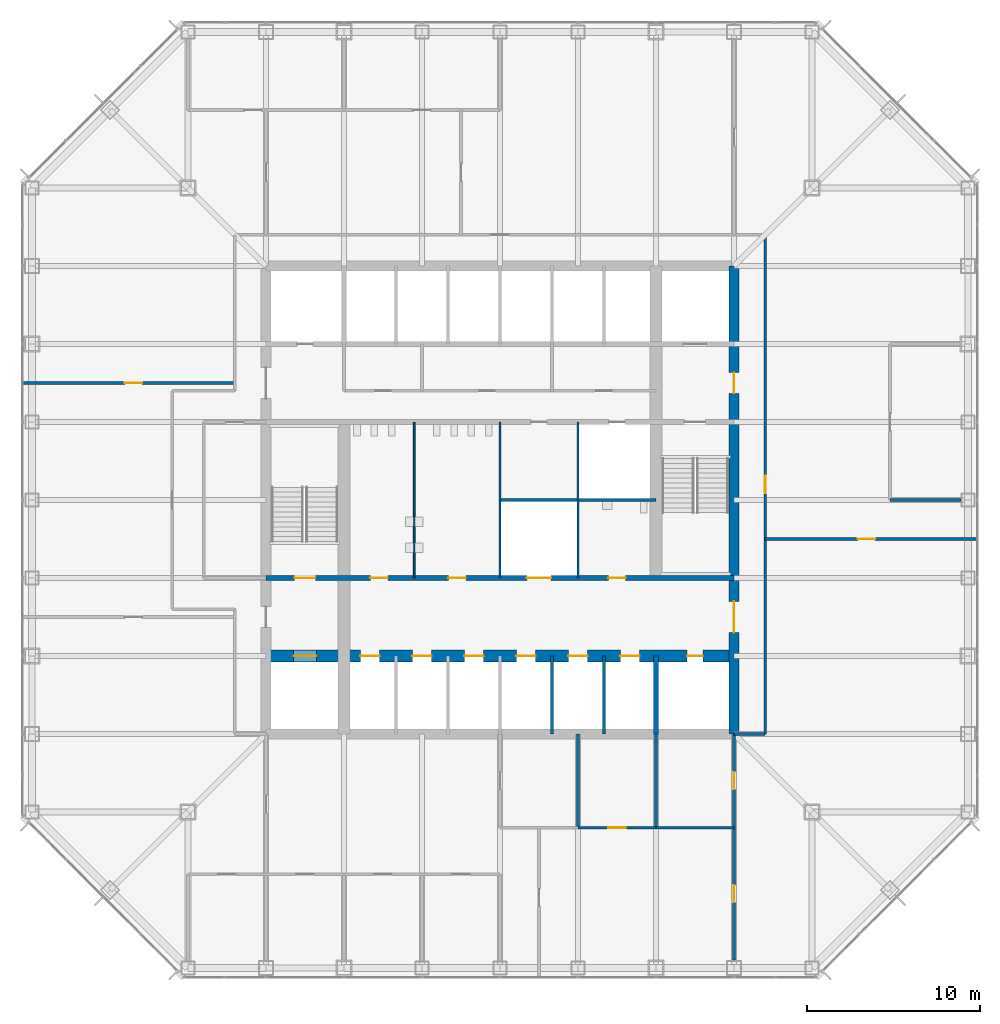
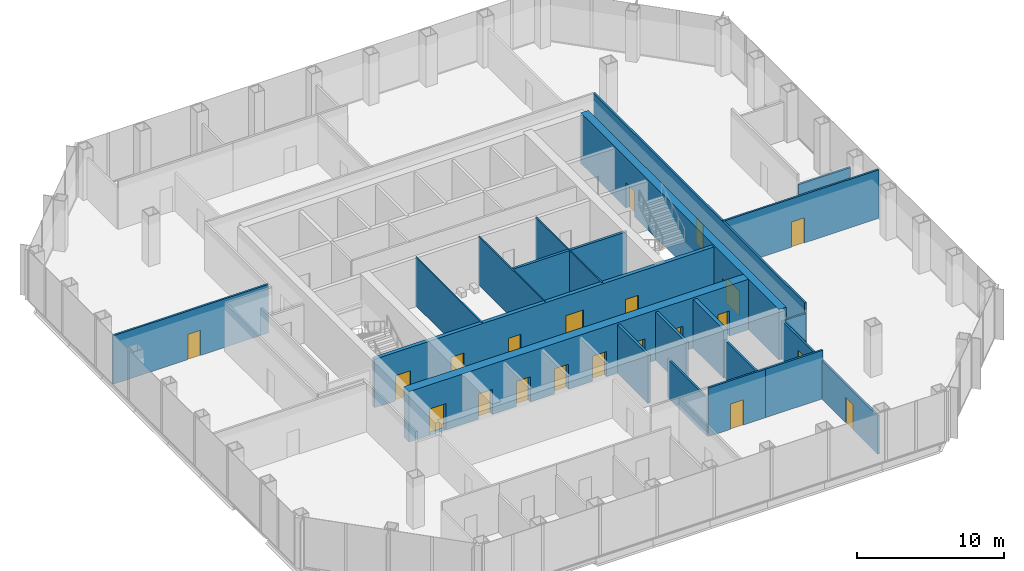
# One storey, part 9 of 13: 21 doors, 21 walls, 21 openings.
"""IFC4 building model written with IfcOpenShell, lengths in metres."""

from ifc_helpers import new_model, si_unit, direction, frame, frame_2d, origin, place, context, subcontext, project, spatial, rectangle, extrude, material, layer, layer_set, type_object, element, fill, save


model = new_model("IFC4")

# Units and contexts
model_context = context("Model", 3, precision=1e-05, world=origin(), true_north=direction((0.0, 1.0)))
body_context = subcontext(model_context, "Body", "Model", "MODEL_VIEW")
ifc_project = project(units=[si_unit("LENGTHUNIT", "METRE"), si_unit("AREAUNIT", "SQUARE_METRE"), si_unit("VOLUMEUNIT", "CUBIC_METRE"), si_unit("PLANEANGLEUNIT", "RADIAN"), si_unit("MASSUNIT", "GRAM", prefix="KILO")], contexts=[model_context])

# Site, building, storey
site_placement = place(None, origin())
site = spatial("IfcSite", under=ifc_project, at=site_placement, CompositionType="ELEMENT")
building_placement = place(site_placement, origin())
building = spatial("IfcBuilding", under=site, at=building_placement, Name="Corais Broadcast Tower", CompositionType="ELEMENT")
storey_placement = place(building_placement, frame((0.0, 0.0, 96.199951171875)))
storey = spatial("IfcBuildingStorey", under=building, at=storey_placement, Name="L21", CompositionType="ELEMENT", Elevation=96.199951171875)

# Wall
ifc_material_1 = material(Name="Concrete blockwork class A, grouted, two-hour", Category="masonry")
ifc_layer_1 = layer(ifc_material_1, 0.300048828125)
ifc_layer_set_1 = layer_set([ifc_layer_1], Name="Concrete blockwork class A, grouted, two-hour")
wall_type_1 = type_object("IfcWallType", Name="Core lobby wall 300", PredefinedType="SOLIDWALL", material=ifc_layer_set_1)
wall_1_placement = place(storey_placement, frame((36.0, 13.5, 0.0), z_axis=(0.0, 0.0, 1.0), x_axis=(0.0, 1.0, 0.0)))
element("IfcWall", 1, at=wall_1_placement, inside=storey, type_object=wall_type_1, Name="CL1 core shaft wall X36A L21", PredefinedType="SOLIDWALL", context=body_context, shape_type="SweptSolid", body=[
    extrude(rectangle(XDim=4.5, YDim=0.300048828125, at=frame_2d((2.25, 0.0))), origin(), (0.0, 0.0, 1.0), 4.0400390625),
])

# Wall, openings, doors
wall_2_placement = place(storey_placement, frame((13.5, 22.5, 0.0), z_axis=(0.0, 0.0, 1.0), x_axis=(1.0, 0.0, 0.0)))
wall_2 = element("IfcWall", 2, at=wall_2_placement, inside=storey, type_object=wall_type_1, Name="CL1 core lobby wall Y225 L21", PredefinedType="SOLIDWALL", context=body_context, shape_type="SweptSolid", body=[
    extrude(rectangle(XDim=27.0, YDim=0.300048828125, at=frame_2d((13.5, 0.0))), origin(), (0.0, 0.0, 1.0), 4.0400390625),
])
opening_1_placement = place(wall_2_placement, frame((1.64990234375, 0.0, 0.0)))
opening_1 = element("IfcOpeningElement", 3, at=opening_1_placement, cuts=wall_2, Name="Opening FD1", PredefinedType="OPENING", context=body_context, shape_type="SweptSolid", body=[
    extrude(rectangle(XDim=1.199951171875, YDim=2.10009765625, at=frame_2d((0.60009765625, 1.050048828125))), frame((0.0, 0.159912109375, 0.0), z_axis=(0.0, -1.0, 0.0), x_axis=(1.0, 0.0, 0.0)), (0.0, 0.0, 1.0), 0.320068359375),
])
opening_2_placement = place(wall_2_placement, frame((6.02490234375, 0.0, 0.0)))
opening_2 = element("IfcOpeningElement", 4, at=opening_2_placement, cuts=wall_2, Name="Opening WD1", PredefinedType="OPENING", context=body_context, shape_type="SweptSolid", body=[
    extrude(rectangle(XDim=1.0, YDim=2.10009765625, at=frame_2d((0.5, 1.050048828125))), frame((0.0, 0.159912109375, 0.0), z_axis=(0.0, -1.0, 0.0), x_axis=(1.0, 0.0, 0.0)), (0.0, 0.0, 1.0), 0.320068359375),
])
opening_3_placement = place(wall_2_placement, frame((10.52490234375, 0.0, 0.0)))
opening_3 = element("IfcOpeningElement", 5, at=opening_3_placement, cuts=wall_2, Name="Opening WD1", PredefinedType="OPENING", context=body_context, shape_type="SweptSolid", body=[
    extrude(rectangle(XDim=1.0, YDim=2.10009765625, at=frame_2d((0.5, 1.050048828125))), frame((0.0, 0.159912109375, 0.0), z_axis=(0.0, -1.0, 0.0), x_axis=(1.0, 0.0, 0.0)), (0.0, 0.0, 1.0), 0.320068359375),
])
opening_4_placement = place(wall_2_placement, frame((19.75, 0.0, 0.0)))
opening_4 = element("IfcOpeningElement", 6, at=opening_4_placement, cuts=wall_2, Name="Opening WD1", PredefinedType="OPENING", context=body_context, shape_type="SweptSolid", body=[
    extrude(rectangle(XDim=1.0, YDim=2.10009765625, at=frame_2d((0.5, 1.050048828125))), frame((0.0, 0.159912109375, 0.0), z_axis=(0.0, -1.0, 0.0), x_axis=(1.0, 0.0, 0.0)), (0.0, 0.0, 1.0), 0.320068359375),
])
opening_5_placement = place(wall_2_placement, frame((15.050048828125, 0.0, 0.0)))
opening_5 = element("IfcOpeningElement", 7, at=opening_5_placement, cuts=wall_2, Name="Opening LD3", PredefinedType="OPENING", context=body_context, shape_type="SweptSolid", body=[
    extrude(rectangle(XDim=1.39990234375, YDim=2.39990234375, at=frame_2d((0.699951171875, 1.199951171875))), frame((0.0, 0.159912109375, 0.0), z_axis=(0.0, -1.0, 0.0), x_axis=(1.0, 0.0, 0.0)), (0.0, 0.0, 1.0), 0.320068359375),
])
ifc_material_2 = material(Name="Steel fire door", Category="steel")
door_type_1 = type_object("IfcDoorType", Name="Fire door 1200x2100", OperationType="SINGLE_SWING_LEFT", PredefinedType="DOOR", material=ifc_material_2)
door_1_placement = place(opening_1_placement, origin())
door_1 = element("IfcDoor", 8, at=door_1_placement, inside=storey, type_object=door_type_1, Name="FD1 stair A door L21", OperationType="SINGLE_SWING_LEFT", OverallHeight=2.10009765625, OverallWidth=1.199951171875, PredefinedType="DOOR", context=body_context, shape_type="SweptSolid", body=[
    extrude(rectangle(XDim=1.199951171875, YDim=2.10009765625, at=frame_2d((0.60009765625, 1.050048828125))), frame((0.0, 0.02490234375, 0.0), z_axis=(0.0, -1.0, 0.0), x_axis=(1.0, 0.0, 0.0)), (0.0, 0.0, 1.0), 0.050048828125),
])
fill(opening_1, door_1)
ifc_material_3 = material(Name="Stainless steel lift door", Category="steel")
door_type_2 = type_object("IfcDoorType", Name="Service lift landing door 1400x2400", OperationType="SLIDING_TO_LEFT", PredefinedType="DOOR", material=ifc_material_3)
door_2_placement = place(opening_5_placement, origin())
door_2 = element("IfcDoor", 9, at=door_2_placement, inside=storey, type_object=door_type_2, Name="LD3 SL1 landing door L21", OperationType="SLIDING_TO_LEFT", OverallHeight=2.39990234375, OverallWidth=1.39990234375, PredefinedType="DOOR", context=body_context, shape_type="SweptSolid", body=[
    extrude(rectangle(XDim=1.39990234375, YDim=2.39990234375, at=frame_2d((0.699951171875, 1.199951171875))), frame((0.0, 0.02490234375, 0.0), z_axis=(0.0, -1.0, 0.0), x_axis=(1.0, 0.0, 0.0)), (0.0, 0.0, 1.0), 0.050048828125),
])
fill(opening_5, door_2)
ifc_material_4 = material(Name="Timber door", Category="wood")
door_type_3 = type_object("IfcDoorType", Name="Toilet door 1000x2100", OperationType="SINGLE_SWING_LEFT", PredefinedType="DOOR", material=ifc_material_4)
door_3_placement = place(opening_2_placement, origin())
door_3 = element("IfcDoor", 10, at=door_3_placement, inside=storey, type_object=door_type_3, Name="WD1 WC male door L21", OperationType="SINGLE_SWING_LEFT", OverallHeight=2.10009765625, OverallWidth=1.0, PredefinedType="DOOR", context=body_context, shape_type="SweptSolid", body=[
    extrude(rectangle(XDim=1.0, YDim=2.10009765625, at=frame_2d((0.5, 1.050048828125))), frame((0.0, 0.02490234375, 0.0), z_axis=(0.0, -1.0, 0.0), x_axis=(1.0, 0.0, 0.0)), (0.0, 0.0, 1.0), 0.050048828125),
])
fill(opening_2, door_3)
door_4_placement = place(opening_3_placement, origin())
door_4 = element("IfcDoor", 11, at=door_4_placement, inside=storey, type_object=door_type_3, Name="WD1 WC female door L21", OperationType="SINGLE_SWING_LEFT", OverallHeight=2.10009765625, OverallWidth=1.0, PredefinedType="DOOR", context=body_context, shape_type="SweptSolid", body=[
    extrude(rectangle(XDim=1.0, YDim=2.10009765625, at=frame_2d((0.5, 1.050048828125))), frame((0.0, 0.02490234375, 0.0), z_axis=(0.0, -1.0, 0.0), x_axis=(1.0, 0.0, 0.0)), (0.0, 0.0, 1.0), 0.050048828125),
])
fill(opening_3, door_4)
door_5_placement = place(opening_4_placement, origin())
door_5 = element("IfcDoor", 12, at=door_5_placement, inside=storey, type_object=door_type_3, Name="WD1 accessible WC door L21", OperationType="SINGLE_SWING_RIGHT", OverallHeight=2.10009765625, OverallWidth=1.0, PredefinedType="DOOR", context=body_context, shape_type="SweptSolid", body=[
    extrude(rectangle(XDim=1.0, YDim=2.10009765625, at=frame_2d((0.5, 1.050048828125))), frame((0.0, 0.02490234375, 0.0), z_axis=(0.0, -1.0, 0.0), x_axis=(1.0, 0.0, 0.0)), (0.0, 0.0, 1.0), 0.050048828125),
])
fill(opening_4, door_5)

ifc_material_5 = material(Name="Concrete C50/60", Category="concrete")
ifc_layer_2 = layer(ifc_material_5, 0.699951171875)
ifc_layer_set_2 = layer_set([ifc_layer_2], Name="Concrete C50/60")
wall_type_2 = type_object("IfcWallType", Name="Core spine wall 700", PredefinedType="SHEAR", material=ifc_layer_set_2)
wall_3_placement = place(storey_placement, frame((13.5, 18.0, 0.0), z_axis=(0.0, 0.0, 1.0), x_axis=(1.0, 0.0, 0.0)))
wall_3 = element("IfcWall", 13, at=wall_3_placement, inside=storey, type_object=wall_type_2, Name="CR700 core wall Y18 L21", PredefinedType="SHEAR", context=body_context, shape_type="SweptSolid", body=[
    extrude(rectangle(XDim=27.0, YDim=0.699951171875, at=frame_2d((13.5, 0.0))), origin(), (0.0, 0.0, 1.0), 4.199951171875),
])
opening_6_placement = place(wall_3_placement, frame((24.300048828125, 0.0, 0.0)))
opening_6 = element("IfcOpeningElement", 14, at=opening_6_placement, cuts=wall_3, Name="Opening RD1", PredefinedType="OPENING", context=body_context, shape_type="SweptSolid", body=[
    extrude(rectangle(XDim=0.89990234375, YDim=2.10009765625, at=frame_2d((0.449951171875, 1.050048828125))), frame((0.0, 0.35986328125, 0.0), z_axis=(0.0, -1.0, 0.0), x_axis=(1.0, 0.0, 0.0)), (0.0, 0.0, 1.0), 0.719970703125),
])
opening_7_placement = place(wall_3_placement, frame((5.449951171875, 0.0, 0.0)))
opening_7 = element("IfcOpeningElement", 15, at=opening_7_placement, cuts=wall_3, Name="Opening LD1", PredefinedType="OPENING", context=body_context, shape_type="SweptSolid", body=[
    extrude(rectangle(XDim=1.10009765625, YDim=2.10009765625, at=frame_2d((0.550048828125, 1.050048828125))), frame((0.0, 0.35986328125, 0.0), z_axis=(0.0, -1.0, 0.0), x_axis=(1.0, 0.0, 0.0)), (0.0, 0.0, 1.0), 0.719970703125),
])
opening_8_placement = place(wall_3_placement, frame((8.449951171875, 0.0, 0.0)))
opening_8 = element("IfcOpeningElement", 16, at=opening_8_placement, cuts=wall_3, Name="Opening LD1", PredefinedType="OPENING", context=body_context, shape_type="SweptSolid", body=[
    extrude(rectangle(XDim=1.10009765625, YDim=2.10009765625, at=frame_2d((0.550048828125, 1.050048828125))), frame((0.0, 0.35986328125, 0.0), z_axis=(0.0, -1.0, 0.0), x_axis=(1.0, 0.0, 0.0)), (0.0, 0.0, 1.0), 0.719970703125),
])
opening_9_placement = place(wall_3_placement, frame((11.449951171875, 0.0, 0.0)))
opening_9 = element("IfcOpeningElement", 17, at=opening_9_placement, cuts=wall_3, Name="Opening LD1", PredefinedType="OPENING", context=body_context, shape_type="SweptSolid", body=[
    extrude(rectangle(XDim=1.10009765625, YDim=2.10009765625, at=frame_2d((0.550048828125, 1.050048828125))), frame((0.0, 0.35986328125, 0.0), z_axis=(0.0, -1.0, 0.0), x_axis=(1.0, 0.0, 0.0)), (0.0, 0.0, 1.0), 0.719970703125),
])
opening_10_placement = place(wall_3_placement, frame((14.449951171875, 0.0, 0.0)))
opening_10 = element("IfcOpeningElement", 18, at=opening_10_placement, cuts=wall_3, Name="Opening LD1", PredefinedType="OPENING", context=body_context, shape_type="SweptSolid", body=[
    extrude(rectangle(XDim=1.10009765625, YDim=2.10009765625, at=frame_2d((0.550048828125, 1.050048828125))), frame((0.0, 0.35986328125, 0.0), z_axis=(0.0, -1.0, 0.0), x_axis=(1.0, 0.0, 0.0)), (0.0, 0.0, 1.0), 0.719970703125),
])
opening_11_placement = place(wall_3_placement, frame((17.449951171875, 0.0, 0.0)))
opening_11 = element("IfcOpeningElement", 19, at=opening_11_placement, cuts=wall_3, Name="Opening LD1", PredefinedType="OPENING", context=body_context, shape_type="SweptSolid", body=[
    extrude(rectangle(XDim=1.10009765625, YDim=2.10009765625, at=frame_2d((0.550048828125, 1.050048828125))), frame((0.0, 0.35986328125, 0.0), z_axis=(0.0, -1.0, 0.0), x_axis=(1.0, 0.0, 0.0)), (0.0, 0.0, 1.0), 0.719970703125),
])
opening_12_placement = place(wall_3_placement, frame((20.449951171875, 0.0, 0.0)))
opening_12 = element("IfcOpeningElement", 20, at=opening_12_placement, cuts=wall_3, Name="Opening LD1", PredefinedType="OPENING", context=body_context, shape_type="SweptSolid", body=[
    extrude(rectangle(XDim=1.10009765625, YDim=2.10009765625, at=frame_2d((0.550048828125, 1.050048828125))), frame((0.0, 0.35986328125, 0.0), z_axis=(0.0, -1.0, 0.0), x_axis=(1.0, 0.0, 0.0)), (0.0, 0.0, 1.0), 0.719970703125),
])
opening_13_placement = place(wall_3_placement, frame((1.60009765625, 0.0, 0.0)))
opening_13 = element("IfcOpeningElement", 21, at=opening_13_placement, cuts=wall_3, Name="Opening LD2", PredefinedType="OPENING", context=body_context, shape_type="SweptSolid", body=[
    extrude(rectangle(XDim=1.300048828125, YDim=2.199951171875, at=frame_2d((0.64990234375, 1.10009765625))), frame((0.0, 0.35986328125, 0.0), z_axis=(0.0, -1.0, 0.0), x_axis=(1.0, 0.0, 0.0)), (0.0, 0.0, 1.0), 0.719970703125),
])
ifc_material_6 = material(Name="Stainless steel lift door", Category="steel")
door_type_4 = type_object("IfcDoorType", Name="Lift landing door 1100x2100", OperationType="SLIDING_TO_LEFT", PredefinedType="DOOR", material=ifc_material_6)
door_6_placement = place(opening_7_placement, origin())
door_6 = element("IfcDoor", 22, at=door_6_placement, inside=storey, type_object=door_type_4, Name="LD1 PL1 landing door L21", OperationType="SLIDING_TO_LEFT", OverallHeight=2.10009765625, OverallWidth=1.10009765625, PredefinedType="DOOR", context=body_context, shape_type="SweptSolid", body=[
    extrude(rectangle(XDim=1.10009765625, YDim=2.10009765625, at=frame_2d((0.550048828125, 1.050048828125))), frame((0.0, 0.02490234375, 0.0), z_axis=(0.0, -1.0, 0.0), x_axis=(1.0, 0.0, 0.0)), (0.0, 0.0, 1.0), 0.050048828125),
])
fill(opening_7, door_6)
door_7_placement = place(opening_8_placement, origin())
door_7 = element("IfcDoor", 23, at=door_7_placement, inside=storey, type_object=door_type_4, Name="LD1 PL2 landing door L21", OperationType="SLIDING_TO_LEFT", OverallHeight=2.10009765625, OverallWidth=1.10009765625, PredefinedType="DOOR", context=body_context, shape_type="SweptSolid", body=[
    extrude(rectangle(XDim=1.10009765625, YDim=2.10009765625, at=frame_2d((0.550048828125, 1.050048828125))), frame((0.0, 0.02490234375, 0.0), z_axis=(0.0, -1.0, 0.0), x_axis=(1.0, 0.0, 0.0)), (0.0, 0.0, 1.0), 0.050048828125),
])
fill(opening_8, door_7)
door_8_placement = place(opening_9_placement, origin())
door_8 = element("IfcDoor", 24, at=door_8_placement, inside=storey, type_object=door_type_4, Name="LD1 PL3 landing door L21", OperationType="SLIDING_TO_LEFT", OverallHeight=2.10009765625, OverallWidth=1.10009765625, PredefinedType="DOOR", context=body_context, shape_type="SweptSolid", body=[
    extrude(rectangle(XDim=1.10009765625, YDim=2.10009765625, at=frame_2d((0.550048828125, 1.050048828125))), frame((0.0, 0.02490234375, 0.0), z_axis=(0.0, -1.0, 0.0), x_axis=(1.0, 0.0, 0.0)), (0.0, 0.0, 1.0), 0.050048828125),
])
fill(opening_9, door_8)
door_9_placement = place(opening_10_placement, origin())
door_9 = element("IfcDoor", 25, at=door_9_placement, inside=storey, type_object=door_type_4, Name="LD1 PL4 landing door L21", OperationType="SLIDING_TO_LEFT", OverallHeight=2.10009765625, OverallWidth=1.10009765625, PredefinedType="DOOR", context=body_context, shape_type="SweptSolid", body=[
    extrude(rectangle(XDim=1.10009765625, YDim=2.10009765625, at=frame_2d((0.550048828125, 1.050048828125))), frame((0.0, 0.02490234375, 0.0), z_axis=(0.0, -1.0, 0.0), x_axis=(1.0, 0.0, 0.0)), (0.0, 0.0, 1.0), 0.050048828125),
])
fill(opening_10, door_9)
door_10_placement = place(opening_11_placement, origin())
door_10 = element("IfcDoor", 26, at=door_10_placement, inside=storey, type_object=door_type_4, Name="LD1 PL5 landing door L21", OperationType="SLIDING_TO_LEFT", OverallHeight=2.10009765625, OverallWidth=1.10009765625, PredefinedType="DOOR", context=body_context, shape_type="SweptSolid", body=[
    extrude(rectangle(XDim=1.10009765625, YDim=2.10009765625, at=frame_2d((0.550048828125, 1.050048828125))), frame((0.0, 0.02490234375, 0.0), z_axis=(0.0, -1.0, 0.0), x_axis=(1.0, 0.0, 0.0)), (0.0, 0.0, 1.0), 0.050048828125),
])
fill(opening_11, door_10)
door_11_placement = place(opening_12_placement, origin())
door_11 = element("IfcDoor", 27, at=door_11_placement, inside=storey, type_object=door_type_4, Name="LD1 PL6 landing door L21", OperationType="SLIDING_TO_LEFT", OverallHeight=2.10009765625, OverallWidth=1.10009765625, PredefinedType="DOOR", context=body_context, shape_type="SweptSolid", body=[
    extrude(rectangle(XDim=1.10009765625, YDim=2.10009765625, at=frame_2d((0.550048828125, 1.050048828125))), frame((0.0, 0.02490234375, 0.0), z_axis=(0.0, -1.0, 0.0), x_axis=(1.0, 0.0, 0.0)), (0.0, 0.0, 1.0), 0.050048828125),
])
fill(opening_12, door_11)
ifc_material_7 = material(Name="Stainless steel lift door", Category="steel")
door_type_5 = type_object("IfcDoorType", Name="Lift landing door 1300x2200", OperationType="SLIDING_TO_LEFT", PredefinedType="DOOR", material=ifc_material_7)
door_12_placement = place(opening_13_placement, origin())
door_12 = element("IfcDoor", 28, at=door_12_placement, inside=storey, type_object=door_type_5, Name="LD2 FL1 landing door L21", OperationType="SLIDING_TO_LEFT", OverallHeight=2.199951171875, OverallWidth=1.300048828125, PredefinedType="DOOR", context=body_context, shape_type="SweptSolid", body=[
    extrude(rectangle(XDim=1.300048828125, YDim=2.199951171875, at=frame_2d((0.64990234375, 1.10009765625))), frame((0.0, 0.02490234375, 0.0), z_axis=(0.0, -1.0, 0.0), x_axis=(1.0, 0.0, 0.0)), (0.0, 0.0, 1.0), 0.050048828125),
])
fill(opening_13, door_12)
ifc_material_8 = material(Name="Steel fire door", Category="steel")
door_type_6 = type_object("IfcDoorType", Name="Riser door 900x2100", OperationType="SINGLE_SWING_LEFT", PredefinedType="DOOR", material=ifc_material_8)
door_13_placement = place(opening_6_placement, origin())
door_13 = element("IfcDoor", 29, at=door_13_placement, inside=storey, type_object=door_type_6, Name="RD1 riser door L21", OperationType="SINGLE_SWING_RIGHT", OverallHeight=2.10009765625, OverallWidth=0.89990234375, PredefinedType="DOOR", context=body_context, shape_type="SweptSolid", body=[
    extrude(rectangle(XDim=0.89990234375, YDim=2.10009765625, at=frame_2d((0.449951171875, 1.050048828125))), frame((0.0, 0.02490234375, 0.0), z_axis=(0.0, -1.0, 0.0), x_axis=(1.0, 0.0, 0.0)), (0.0, 0.0, 1.0), 0.050048828125),
])
fill(opening_6, door_13)

ifc_material_9 = material(Name="Concrete C50/60", Category="concrete")
ifc_layer_3 = layer(ifc_material_9, 0.60009765625)
ifc_layer_set_3 = layer_set([ifc_layer_3], Name="Concrete C50/60")
wall_type_3 = type_object("IfcWallType", Name="Core wall 600", PredefinedType="SHEAR", material=ifc_layer_set_3)
wall_4_placement = place(storey_placement, frame((40.5, 13.5, 0.0), z_axis=(0.0, 0.0, 1.0), x_axis=(0.0, 1.0, 0.0)))
wall_4 = element("IfcWall", 30, at=wall_4_placement, inside=storey, type_object=wall_type_3, Name="CR600 core wall E L21", PredefinedType="SHEAR", context=body_context, shape_type="SweptSolid", body=[
    extrude(rectangle(XDim=27.0, YDim=0.60009765625, at=frame_2d((13.5, 0.0))), origin(), (0.0, 0.0, 1.0), 4.199951171875),
])
opening_14_placement = place(wall_4_placement, frame((5.85009765625, 0.0, 0.0)))
opening_14 = element("IfcOpeningElement", 31, at=opening_14_placement, cuts=wall_4, Name="Opening FD2", PredefinedType="OPENING", context=body_context, shape_type="SweptSolid", body=[
    extrude(rectangle(XDim=1.800048828125, YDim=2.10009765625, at=frame_2d((0.89990234375, 1.050048828125))), frame((0.0, 0.31005859375, 0.0), z_axis=(0.0, -1.0, 0.0), x_axis=(1.0, 0.0, 0.0)), (0.0, 0.0, 1.0), 0.6201171875),
])
opening_15_placement = place(wall_4_placement, frame((19.64990234375, 0.0, 0.0)))
opening_15 = element("IfcOpeningElement", 32, at=opening_15_placement, cuts=wall_4, Name="Opening FD1", PredefinedType="OPENING", context=body_context, shape_type="SweptSolid", body=[
    extrude(rectangle(XDim=1.199951171875, YDim=2.10009765625, at=frame_2d((0.60009765625, 1.050048828125))), frame((0.0, 0.31005859375, 0.0), z_axis=(0.0, -1.0, 0.0), x_axis=(1.0, 0.0, 0.0)), (0.0, 0.0, 1.0), 0.6201171875),
])
door_14_placement = place(opening_15_placement, origin())
door_14 = element("IfcDoor", 33, at=door_14_placement, inside=storey, type_object=door_type_1, Name="FD1 fire lobby B door L21", OperationType="SINGLE_SWING_RIGHT", OverallHeight=2.10009765625, OverallWidth=1.199951171875, PredefinedType="DOOR", context=body_context, shape_type="SweptSolid", body=[
    extrude(rectangle(XDim=1.199951171875, YDim=2.10009765625, at=frame_2d((0.60009765625, 1.050048828125))), frame((0.0, 0.02490234375, 0.0), z_axis=(0.0, -1.0, 0.0), x_axis=(1.0, 0.0, 0.0)), (0.0, 0.0, 1.0), 0.050048828125),
])
fill(opening_15, door_14)
ifc_material_10 = material(Name="Steel fire door", Category="steel")
door_type_7 = type_object("IfcDoorType", Name="Fire door pair 1800x2100", OperationType="DOUBLE_DOOR_SINGLE_SWING", PredefinedType="DOOR", material=ifc_material_10)
door_15_placement = place(opening_14_placement, origin())
door_15 = element("IfcDoor", 34, at=door_15_placement, inside=storey, type_object=door_type_7, Name="FD2 lift lobby door L21", OperationType="SINGLE_SWING_LEFT", OverallHeight=2.10009765625, OverallWidth=1.800048828125, PredefinedType="DOOR", context=body_context, shape_type="SweptSolid", body=[
    extrude(rectangle(XDim=1.800048828125, YDim=2.10009765625, at=frame_2d((0.89990234375, 1.050048828125))), frame((0.0, 0.02490234375, 0.0), z_axis=(0.0, -1.0, 0.0), x_axis=(1.0, 0.0, 0.0)), (0.0, 0.0, 1.0), 0.050048828125),
])
fill(opening_14, door_15)

# Wall, opening, door
ifc_material_11 = material(Name="Gypsum board on steel studs", Category="steel")
ifc_layer_4 = layer(ifc_material_11, 0.14990234375)
ifc_layer_set_4 = layer_set([ifc_layer_4], Name="Gypsum board on steel studs")
wall_type_4 = type_object("IfcWallType", Name="Partition 150", PredefinedType="PARTITIONING", material=ifc_layer_set_4)
wall_5_placement = place(storey_placement, frame((42.300048828125, 13.5, 0.0), z_axis=(0.0, 0.0, 1.0), x_axis=(0.0, 1.0, 0.0)))
wall_5 = element("IfcWall", 35, at=wall_5_placement, inside=storey, type_object=wall_type_4, Name="IW3 corridor wall L21", PredefinedType="PARTITIONING", context=body_context, shape_type="SweptSolid", body=[
    extrude(rectangle(XDim=28.800048828125, YDim=0.14990234375, at=frame_2d((14.39990234375, 0.0))), origin(), (0.0, 0.0, 1.0), 4.0400390625),
])
opening_16_placement = place(wall_5_placement, frame((13.89990234375, 0.0, 0.0)))
opening_16 = element("IfcOpeningElement", 36, at=opening_16_placement, cuts=wall_5, Name="Opening D1", PredefinedType="OPENING", context=body_context, shape_type="SweptSolid", body=[
    extrude(rectangle(XDim=1.0, YDim=2.10009765625, at=frame_2d((0.5, 1.050048828125))), frame((0.0, 0.0849609375, 0.0), z_axis=(0.0, -1.0, 0.0), x_axis=(1.0, 0.0, 0.0)), (0.0, 0.0, 1.0), 0.169921875),
])
ifc_material_12 = material(Name="Timber door", Category="wood")
door_type_8 = type_object("IfcDoorType", Name="Single door 1000x2100", OperationType="SINGLE_SWING_LEFT", PredefinedType="DOOR", material=ifc_material_12)
door_16_placement = place(opening_16_placement, origin())
door_16 = element("IfcDoor", 37, at=door_16_placement, inside=storey, type_object=door_type_8, Name="D1 workplace door L21", OperationType="SINGLE_SWING_LEFT", OverallHeight=2.10009765625, OverallWidth=1.0, PredefinedType="DOOR", context=body_context, shape_type="SweptSolid", body=[
    extrude(rectangle(XDim=1.0, YDim=2.10009765625, at=frame_2d((0.5, 1.050048828125))), frame((0.0, 0.02490234375, 0.0), z_axis=(0.0, -1.0, 0.0), x_axis=(1.0, 0.0, 0.0)), (0.0, 0.0, 1.0), 0.050048828125),
])
fill(opening_16, door_16)

# Walls
wall_6_placement = place(storey_placement, frame((40.5, 13.5, 0.0), z_axis=(0.0, 0.0, 1.0), x_axis=(1.0, 0.0, 0.0)))
element("IfcWall", 38, at=wall_6_placement, inside=storey, type_object=wall_type_4, Name="IW3 corridor wall L21", PredefinedType="PARTITIONING", context=body_context, shape_type="SweptSolid", body=[
    extrude(rectangle(XDim=1.800048828125, YDim=0.14990234375, at=frame_2d((0.89990234375, 0.0))), origin(), (0.0, 0.0, 1.0), 3.18896484375),
])
wall_7_placement = place(storey_placement, frame((31.5, 8.10009765625, 0.0), z_axis=(0.0, 0.0, 1.0), x_axis=(0.0, 1.0, 0.0)))
element("IfcWall", 39, at=wall_7_placement, inside=storey, type_object=wall_type_4, Name="IW3 partition L21", PredefinedType="PARTITIONING", context=body_context, shape_type="SweptSolid", body=[
    extrude(rectangle(XDim=5.39990234375, YDim=0.14990234375, at=frame_2d((2.699951171875, 0.0))), origin(), (0.0, 0.0, 1.0), 3.18896484375),
])

# Wall, opening, door
wall_8_placement = place(storey_placement, frame((31.5, 8.10009765625, 0.0), z_axis=(0.0, 0.0, 1.0), x_axis=(1.0, 0.0, 0.0)))
wall_8 = element("IfcWall", 40, at=wall_8_placement, inside=storey, type_object=wall_type_4, Name="IW3 partition L21", PredefinedType="PARTITIONING", context=body_context, shape_type="SweptSolid", body=[
    extrude(rectangle(XDim=4.5, YDim=0.14990234375, at=frame_2d((2.25, 0.0))), origin(), (0.0, 0.0, 1.0), 4.0400390625),
])
opening_17_placement = place(wall_8_placement, frame((1.75, 0.0, 0.0)))
opening_17 = element("IfcOpeningElement", 41, at=opening_17_placement, cuts=wall_8, Name="Opening D1", PredefinedType="OPENING", context=body_context, shape_type="SweptSolid", body=[
    extrude(rectangle(XDim=1.0, YDim=2.10009765625, at=frame_2d((0.5, 1.050048828125))), frame((0.0, 0.0849609375, 0.0), z_axis=(0.0, -1.0, 0.0), x_axis=(1.0, 0.0, 0.0)), (0.0, 0.0, 1.0), 0.169921875),
])
door_17_placement = place(opening_17_placement, origin())
door_17 = element("IfcDoor", 42, at=door_17_placement, inside=storey, type_object=door_type_8, Name="D1 Tutor office door", OperationType="SINGLE_SWING_LEFT", OverallHeight=2.10009765625, OverallWidth=1.0, PredefinedType="DOOR", context=body_context, shape_type="SweptSolid", body=[
    extrude(rectangle(XDim=1.0, YDim=2.10009765625, at=frame_2d((0.5, 1.050048828125))), frame((0.0, 0.02490234375, 0.0), z_axis=(0.0, -1.0, 0.0), x_axis=(1.0, 0.0, 0.0)), (0.0, 0.0, 1.0), 0.050048828125),
])
fill(opening_17, door_17)

# Walls
wall_9_placement = place(storey_placement, frame((36.0, 8.10009765625, 0.0), z_axis=(0.0, 0.0, 1.0), x_axis=(0.0, 1.0, 0.0)))
element("IfcWall", 43, at=wall_9_placement, inside=storey, type_object=wall_type_4, Name="IW3 partition L21", PredefinedType="PARTITIONING", context=body_context, shape_type="SweptSolid", body=[
    extrude(rectangle(XDim=5.39990234375, YDim=0.14990234375, at=frame_2d((2.699951171875, 0.0))), origin(), (0.0, 0.0, 1.0), 3.18896484375),
])
wall_10_placement = place(storey_placement, frame((36.0, 8.10009765625, 0.0), z_axis=(0.0, 0.0, 1.0), x_axis=(1.0, 0.0, 0.0)))
element("IfcWall", 44, at=wall_10_placement, inside=storey, type_object=wall_type_4, Name="IW3 partition L21", PredefinedType="PARTITIONING", context=body_context, shape_type="SweptSolid", body=[
    extrude(rectangle(XDim=4.5, YDim=0.14990234375, at=frame_2d((2.25, 0.0))), origin(), (0.0, 0.0, 1.0), 4.0400390625),
])

# Wall, opening, door
wall_11_placement = place(storey_placement, frame((40.5, 8.10009765625, 0.0), z_axis=(0.0, 0.0, 1.0), x_axis=(0.0, 1.0, 0.0)))
wall_11 = element("IfcWall", 45, at=wall_11_placement, inside=storey, type_object=wall_type_4, Name="IW3 partition L21", PredefinedType="PARTITIONING", context=body_context, shape_type="SweptSolid", body=[
    extrude(rectangle(XDim=5.39990234375, YDim=0.14990234375, at=frame_2d((2.699951171875, 0.0))), origin(), (0.0, 0.0, 1.0), 3.18896484375),
])
opening_18_placement = place(wall_11_placement, frame((2.199951171875, 0.0, 0.0)))
opening_18 = element("IfcOpeningElement", 46, at=opening_18_placement, cuts=wall_11, Name="Opening D1", PredefinedType="OPENING", context=body_context, shape_type="SweptSolid", body=[
    extrude(rectangle(XDim=1.0, YDim=2.10009765625, at=frame_2d((0.5, 1.050048828125))), frame((0.0, 0.0849609375, 0.0), z_axis=(0.0, -1.0, 0.0), x_axis=(1.0, 0.0, 0.0)), (0.0, 0.0, 1.0), 0.169921875),
])
door_18_placement = place(opening_18_placement, origin())
door_18 = element("IfcDoor", 47, at=door_18_placement, inside=storey, type_object=door_type_8, Name="D1 Tutor office door", OperationType="SINGLE_SWING_LEFT", OverallHeight=2.10009765625, OverallWidth=1.0, PredefinedType="DOOR", context=body_context, shape_type="SweptSolid", body=[
    extrude(rectangle(XDim=1.0, YDim=2.10009765625, at=frame_2d((0.5, 1.050048828125))), frame((0.0, 0.02490234375, 0.0), z_axis=(0.0, -1.0, 0.0), x_axis=(1.0, 0.0, 0.0)), (0.0, 0.0, 1.0), 0.050048828125),
])
fill(opening_18, door_18)

# Wall
wall_12_placement = place(storey_placement, frame((49.5, 27.0, 0.0), z_axis=(0.0, 0.0, 1.0), x_axis=(1.0, 0.0, 0.0)))
element("IfcWall", 48, at=wall_12_placement, inside=storey, type_object=wall_type_4, Name="IW3 partition L21", PredefinedType="PARTITIONING", context=body_context, shape_type="SweptSolid", body=[
    extrude(rectangle(XDim=4.090087890625, YDim=0.14990234375, at=frame_2d((2.044921875, 0.0))), origin(), (0.0, 0.0, 1.0), 3.18896484375),
])

# Wall, opening, door
wall_13_placement = place(storey_placement, frame((54.52001953125, 24.75, 0.0), z_axis=(0.0, 0.0, 1.0), x_axis=(-1.0, 0.0, 0.0)))
wall_13 = element("IfcWall", 49, at=wall_13_placement, inside=storey, type_object=wall_type_4, Name="IW3 partition L21", PredefinedType="PARTITIONING", context=body_context, shape_type="SweptSolid", body=[
    extrude(rectangle(XDim=12.219970703125, YDim=0.14990234375, at=frame_2d((6.10986328125, 0.0))), origin(), (0.0, 0.0, 1.0), 4.0400390625),
])
opening_19_placement = place(wall_13_placement, frame((5.8701171875, 0.0, 0.0)))
opening_19 = element("IfcOpeningElement", 50, at=opening_19_placement, cuts=wall_13, Name="Opening D1", PredefinedType="OPENING", context=body_context, shape_type="SweptSolid", body=[
    extrude(rectangle(XDim=1.0, YDim=2.10009765625, at=frame_2d((0.5, 1.050048828125))), frame((0.0, 0.0849609375, 0.0), z_axis=(0.0, -1.0, 0.0), x_axis=(1.0, 0.0, 0.0)), (0.0, 0.0, 1.0), 0.169921875),
])
door_19_placement = place(opening_19_placement, origin())
door_19 = element("IfcDoor", 51, at=door_19_placement, inside=storey, type_object=door_type_8, Name="D1 team room door L21", OperationType="SINGLE_SWING_RIGHT", OverallHeight=2.10009765625, OverallWidth=1.0, PredefinedType="DOOR", context=body_context, shape_type="SweptSolid", body=[
    extrude(rectangle(XDim=1.0, YDim=2.10009765625, at=frame_2d((0.5, 1.050048828125))), frame((0.0, 0.02490234375, 0.0), z_axis=(0.0, -1.0, 0.0), x_axis=(1.0, 0.0, 0.0)), (0.0, 0.0, 1.0), 0.050048828125),
])
fill(opening_19, door_19)

wall_14_placement = place(storey_placement, frame((11.699951171875, 33.75, 0.0), z_axis=(0.0, 0.0, 1.0), x_axis=(-1.0, 0.0, 0.0)))
wall_14 = element("IfcWall", 52, at=wall_14_placement, inside=storey, type_object=wall_type_4, Name="IW3 partition L21", PredefinedType="PARTITIONING", context=body_context, shape_type="SweptSolid", body=[
    extrude(rectangle(XDim=12.219970703125, YDim=0.14990234375, at=frame_2d((6.10986328125, 0.0))), origin(), (0.0, 0.0, 1.0), 4.0400390625),
])
opening_20_placement = place(wall_14_placement, frame((5.35009765625, 0.0, 0.0)))
opening_20 = element("IfcOpeningElement", 53, at=opening_20_placement, cuts=wall_14, Name="Opening D1", PredefinedType="OPENING", context=body_context, shape_type="SweptSolid", body=[
    extrude(rectangle(XDim=1.0, YDim=2.10009765625, at=frame_2d((0.5, 1.050048828125))), frame((0.0, 0.0849609375, 0.0), z_axis=(0.0, -1.0, 0.0), x_axis=(1.0, 0.0, 0.0)), (0.0, 0.0, 1.0), 0.169921875),
])
door_20_placement = place(opening_20_placement, origin())
door_20 = element("IfcDoor", 54, at=door_20_placement, inside=storey, type_object=door_type_8, Name="D1 team room door L21", OperationType="SINGLE_SWING_LEFT", OverallHeight=2.10009765625, OverallWidth=1.0, PredefinedType="DOOR", context=body_context, shape_type="SweptSolid", body=[
    extrude(rectangle(XDim=1.0, YDim=2.10009765625, at=frame_2d((0.5, 1.050048828125))), frame((0.0, 0.02490234375, 0.0), z_axis=(0.0, -1.0, 0.0), x_axis=(1.0, 0.0, 0.0)), (0.0, 0.0, 1.0), 0.050048828125),
])
fill(opening_20, door_20)

wall_15_placement = place(storey_placement, frame((40.5, 0.445068359375, 0.0), z_axis=(0.0, 0.0, 1.0), x_axis=(0.0, 1.0, 0.0)))
wall_15 = element("IfcWall", 55, at=wall_15_placement, inside=storey, type_object=wall_type_4, Name="IW3 partition L21", PredefinedType="PARTITIONING", context=body_context, shape_type="SweptSolid", body=[
    extrude(rectangle(XDim=7.675048828125, YDim=0.14990234375, at=frame_2d((3.83740234375, 0.0))), origin(), (0.0, 0.0, 1.0), 3.18896484375),
])
opening_21_placement = place(wall_15_placement, frame((3.33740234375, 0.0, 0.0)))
opening_21 = element("IfcOpeningElement", 56, at=opening_21_placement, cuts=wall_15, Name="Opening D1", PredefinedType="OPENING", context=body_context, shape_type="SweptSolid", body=[
    extrude(rectangle(XDim=1.0, YDim=2.10009765625, at=frame_2d((0.5, 1.050048828125))), frame((0.0, 0.0849609375, 0.0), z_axis=(0.0, -1.0, 0.0), x_axis=(1.0, 0.0, 0.0)), (0.0, 0.0, 1.0), 0.169921875),
])
door_21_placement = place(opening_21_placement, origin())
door_21 = element("IfcDoor", 57, at=door_21_placement, inside=storey, type_object=door_type_8, Name="D1 team room door L21", OperationType="SINGLE_SWING_LEFT", OverallHeight=2.10009765625, OverallWidth=1.0, PredefinedType="DOOR", context=body_context, shape_type="SweptSolid", body=[
    extrude(rectangle(XDim=1.0, YDim=2.10009765625, at=frame_2d((0.5, 1.050048828125))), frame((0.0, 0.02490234375, 0.0), z_axis=(0.0, -1.0, 0.0), x_axis=(1.0, 0.0, 0.0)), (0.0, 0.0, 1.0), 0.050048828125),
])
fill(opening_21, door_21)

# Walls
ifc_material_13 = material(Name="Concrete blockwork class A, grouted, two-hour", Category="masonry")
ifc_layer_5 = layer(ifc_material_13, 0.199951171875)
ifc_layer_set_5 = layer_set([ifc_layer_5], Name="Concrete blockwork class A, grouted, two-hour")
wall_type_5 = type_object("IfcWallType", Name="Shaft wall 200", PredefinedType="PARTITIONING", material=ifc_layer_set_5)
for number, where, z_axis, x_axis, name in (
    (58, (30.0, 13.5, 0.0), (0.0, 0.0, 1.0), (0.0, 1.0, 0.0), "IW1 shaft wall L21"),
    (59, (33.0, 13.5, 0.0), (0.0, 0.0, 1.0), (0.0, 1.0, 0.0), "IW1 shaft wall L21"),
):
    element("IfcWall", number, at=place(storey_placement, frame(where, z_axis=z_axis, x_axis=x_axis)), inside=storey, type_object=wall_type_5, Name=name, PredefinedType="PARTITIONING", context=body_context, shape_type="SweptSolid", body=[
        extrude(rectangle(XDim=4.5, YDim=0.199951171875, at=frame_2d((2.25, 0.0))), origin(), (0.0, 0.0, 1.0), 4.0400390625),
    ])
wall_16_placement = place(storey_placement, frame((27.0, 27.0, 0.0), z_axis=(0.0, 0.0, 1.0), x_axis=(1.0, 0.0, 0.0)))
element("IfcWall", 60, at=wall_16_placement, inside=storey, type_object=wall_type_5, Name="IW1 shaft wall L21", PredefinedType="PARTITIONING", context=body_context, shape_type="SweptSolid", body=[
    extrude(rectangle(XDim=9.0, YDim=0.199951171875, at=frame_2d((4.5, 0.0))), origin(), (0.0, 0.0, 1.0), 4.0400390625),
])
ifc_material_14 = material(Name="Dense concrete blockwork class A, tiled both faces", Category="masonry")
ifc_layer_6 = layer(ifc_material_14, 0.10009765625)
ifc_layer_set_6 = layer_set([ifc_layer_6], Name="Dense concrete blockwork class A, tiled both faces")
wall_type_6 = type_object("IfcWallType", Name="Toilet wall 100", PredefinedType="PLUMBINGWALL", material=ifc_layer_set_6)
for number, where, z_axis, x_axis, name in (
    (61, (22.050048828125, 22.5, 0.0), (0.0, 0.0, 1.0), (0.0, 1.0, 0.0), "IW2 toilet wall L21"),
    (62, (27.0, 22.5, 0.0), (0.0, 0.0, 1.0), (0.0, 1.0, 0.0), "IW2 toilet wall L21"),
    (63, (31.5, 22.5, 0.0), (0.0, 0.0, 1.0), (0.0, 1.0, 0.0), "IW2 toilet wall L21"),
):
    element("IfcWall", number, at=place(storey_placement, frame(where, z_axis=z_axis, x_axis=x_axis)), inside=storey, type_object=wall_type_6, Name=name, PredefinedType="PLUMBINGWALL", context=body_context, shape_type="SweptSolid", body=[
        extrude(rectangle(XDim=9.0, YDim=0.10009765625, at=frame_2d((4.5, 0.0))), origin(), (0.0, 0.0, 1.0), 4.0400390625),
    ])

save(model, "model.ifc")
